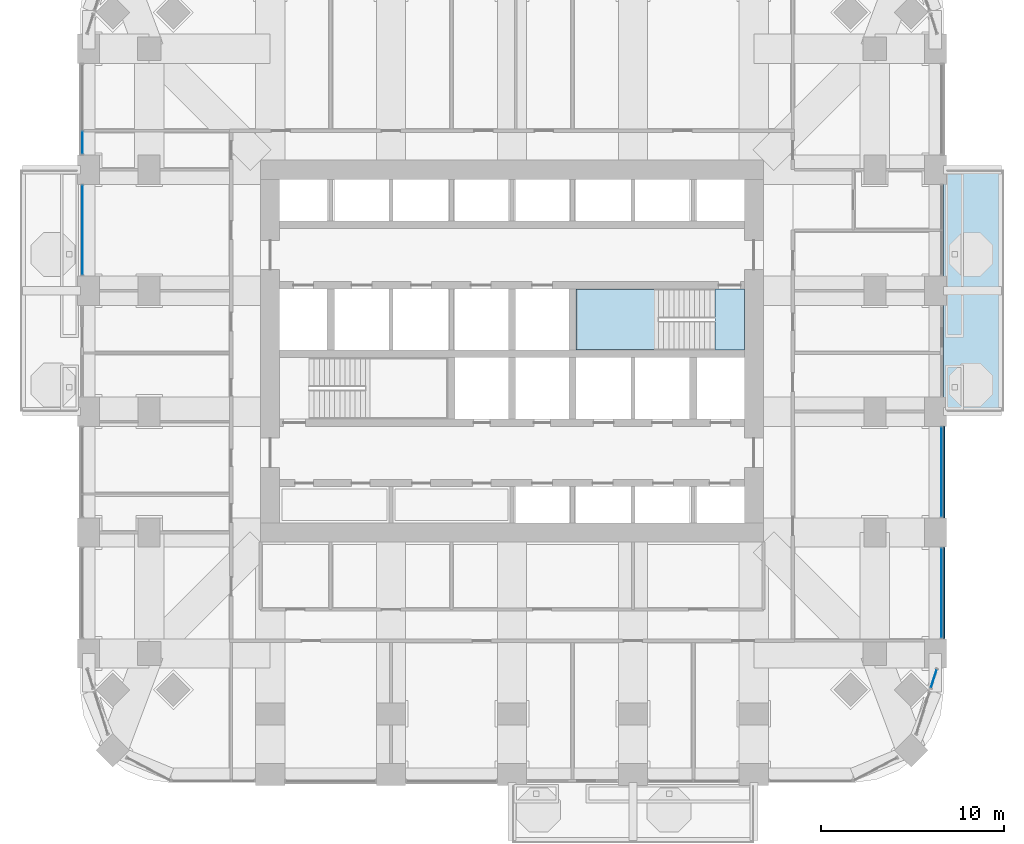
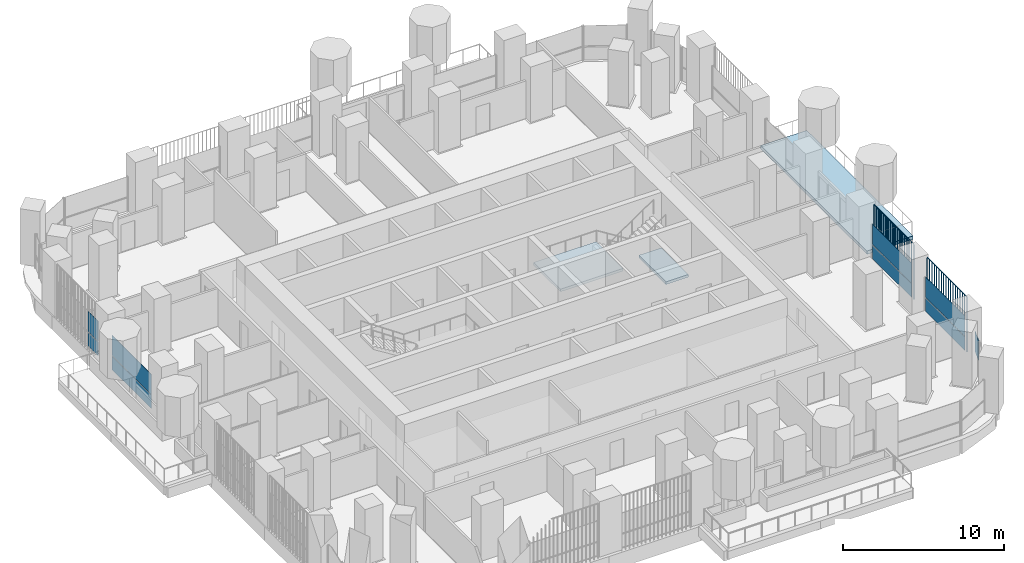
# One storey, part 11 of 22: 11 plates, 3 slabs, 6 elements without a shape of their own.
"""IFC4 building model written with IfcOpenShell, lengths in metres."""

from ifc_helpers import new_model, si_unit, direction, frame, origin, origin_2d, place, context, subcontext, project, spatial, polyline, rectangle, outline, extrude, material, layer, layer_set, type_object, element, aggregate, save


model = new_model("IFC4")

# Units and contexts
model_context = context("Model", 3, precision=1e-05, world=origin(), true_north=direction((0.0, 1.0)))
body_context = subcontext(model_context, "Body", "Model", "MODEL_VIEW")
ifc_project = project(units=[si_unit("LENGTHUNIT", "METRE"), si_unit("AREAUNIT", "SQUARE_METRE"), si_unit("VOLUMEUNIT", "CUBIC_METRE"), si_unit("PLANEANGLEUNIT", "RADIAN"), si_unit("MASSUNIT", "GRAM", prefix="KILO")], contexts=[model_context])

# Site, building, storey
site_placement = place(None, origin())
site = spatial("IfcSite", under=ifc_project, at=site_placement, CompositionType="ELEMENT")
building_placement = place(site_placement, origin())
building = spatial("IfcBuilding", under=site, at=building_placement, Name="Cobogo Forest Laboratory Tower", CompositionType="ELEMENT")
storey_placement = place(building_placement, frame((0.0, 0.0, 136.800048828125)))
storey = spatial("IfcBuildingStorey", under=building, at=storey_placement, Name="L31", CompositionType="ELEMENT", Elevation=136.800048828125)

# Slab
ifc_material_1 = material(Name="Concrete HA-40 (C40/50)", Category="concrete")
ifc_layer_1 = layer(ifc_material_1, 0.25)
ifc_layer_set_1 = layer_set([ifc_layer_1], Name="Balcony slab 250")
slab_type_1 = type_object("IfcSlabType", Name="Balcony slab 250", PredefinedType="FLOOR", material=ifc_layer_set_1)
slab_1_placement = place(storey_placement, frame((0.0, 0.0, -0.25)))
element("IfcSlab", 1, at=slab_1_placement, inside=storey, type_object=slab_type_1, Name="Balcony BAL-E1 L31", PredefinedType="FLOOR", context=body_context, shape_type="SweptSolid", body=[
    extrude(outline(polyline([(49.949951171875, 19.800048828125), (53.25, 19.800048828125), (53.25, 33.0), (49.949951171875, 33.0), (49.949951171875, 19.800048828125)])), origin(), (0.0, 0.0, 1.0), 0.25),
])

# Curtain wall, plate
ifc_material_2 = material(Name="Aluminium curtain wall", Category="aluminium")
curtain_wall_type = type_object("IfcCurtainWallType", Name="CW-1 unitised curtain wall, clear glazing, laboratory floors zones A and B", PredefinedType="USERDEFINED", material=ifc_material_2)
curtain_wall_1_placement = place(storey_placement, origin())
curtain_wall_1 = element("IfcCurtainWall", 2, at=curtain_wall_1_placement, inside=storey, type_object=curtain_wall_type, Name="Curtain wall 09 L31", ObjectType="UNITISED CURTAIN WALL", PredefinedType="USERDEFINED")
ifc_material_3 = material(Name="Clear insulated glass", Category="glass")
ifc_layer_2 = layer(ifc_material_3, 0.028076171875)
ifc_layer_set_2 = layer_set([ifc_layer_2], Name="GP-1 clear insulated glass unit 28")
plate_type_1 = type_object("IfcPlateType", Name="GP-1 clear insulated glass unit 28", PredefinedType="CURTAIN_PANEL", material=ifc_layer_set_2)
plate_1_placement = place(storey_placement, frame((49.41796875, 5.232177734375, 1.079833984375), z_axis=(0.0, 0.0, 1.0), x_axis=(0.301135667865, 0.953581307252, 0.0)))
plate_1 = element("IfcPlate", 3, at=plate_1_placement, type_object=plate_type_1, Name="CW-1 panel 1.2", PredefinedType="CURTAIN_PANEL", context=body_context, shape_type="SweptSolid", body=[
    extrude(rectangle(XDim=1.071044921875, YDim=0.028076171875, at=origin_2d()), origin(), (0.0, 0.0, 1.0), 1.52001953125),
])
aggregate(curtain_wall_1, [plate_1])

# Curtain wall, plates
curtain_wall_2_placement = place(storey_placement, origin())
curtain_wall_2 = element("IfcCurtainWall", 4, at=curtain_wall_2_placement, inside=storey, type_object=curtain_wall_type, Name="Curtain wall 10 L31", ObjectType="UNITISED CURTAIN WALL", PredefinedType="USERDEFINED")
plate_2_placement = place(storey_placement, frame((49.85009765625, 9.89990234375, 0.0), z_axis=(0.0, 0.0, 1.0), x_axis=(0.0, 1.0, 0.0)))
plate_2 = element("IfcPlate", 5, at=plate_2_placement, type_object=plate_type_1, Name="CW-1 panel 1.1", PredefinedType="CURTAIN_PANEL", context=body_context, shape_type="SweptSolid", body=[
    extrude(rectangle(XDim=4.8798828125, YDim=0.028076171875, at=origin_2d()), origin(), (0.0, 0.0, 1.0), 1.02001953125),
])
plate_3_placement = place(storey_placement, frame((49.85009765625, 9.89990234375, 1.079833984375), z_axis=(0.0, 0.0, 1.0), x_axis=(0.0, 1.0, 0.0)))
plate_3 = element("IfcPlate", 6, at=plate_3_placement, type_object=plate_type_1, Name="CW-1 panel 1.2", PredefinedType="CURTAIN_PANEL", context=body_context, shape_type="SweptSolid", body=[
    extrude(rectangle(XDim=4.8798828125, YDim=0.028076171875, at=origin_2d()), origin(), (0.0, 0.0, 1.0), 1.52001953125),
])
aggregate(curtain_wall_2, [plate_2, plate_3])

curtain_wall_3_placement = place(storey_placement, origin())
curtain_wall_3 = element("IfcCurtainWall", 7, at=curtain_wall_3_placement, inside=storey, type_object=curtain_wall_type, Name="Curtain wall 11 L31", ObjectType="UNITISED CURTAIN WALL", PredefinedType="USERDEFINED")
plate_4_placement = place(storey_placement, frame((49.85009765625, 16.5, 0.0), z_axis=(0.0, 0.0, 1.0), x_axis=(0.0, 1.0, 0.0)))
plate_4 = element("IfcPlate", 8, at=plate_4_placement, type_object=plate_type_1, Name="CW-1 panel 1.1", PredefinedType="CURTAIN_PANEL", context=body_context, shape_type="SweptSolid", body=[
    extrude(rectangle(XDim=4.8798828125, YDim=0.028076171875, at=origin_2d()), origin(), (0.0, 0.0, 1.0), 1.02001953125),
])
plate_5_placement = place(storey_placement, frame((49.85009765625, 16.5, 1.079833984375), z_axis=(0.0, 0.0, 1.0), x_axis=(0.0, 1.0, 0.0)))
plate_5 = element("IfcPlate", 9, at=plate_5_placement, type_object=plate_type_1, Name="CW-1 panel 1.2", PredefinedType="CURTAIN_PANEL", context=body_context, shape_type="SweptSolid", body=[
    extrude(rectangle(XDim=4.8798828125, YDim=0.028076171875, at=origin_2d()), origin(), (0.0, 0.0, 1.0), 1.52001953125),
])
aggregate(curtain_wall_3, [plate_4, plate_5])

curtain_wall_4_placement = place(storey_placement, origin())
curtain_wall_4 = element("IfcCurtainWall", 10, at=curtain_wall_4_placement, inside=storey, type_object=curtain_wall_type, Name="Curtain wall 27 L31", ObjectType="UNITISED CURTAIN WALL", PredefinedType="USERDEFINED")
plate_6_placement = place(storey_placement, frame((2.949951171875, 34.4775390625, 0.0), z_axis=(0.0, 0.0, 1.0), x_axis=(0.0, -1.0, 0.0)))
plate_6 = element("IfcPlate", 11, at=plate_6_placement, type_object=plate_type_1, Name="CW-1 panel 2.1", PredefinedType="CURTAIN_PANEL", context=body_context, shape_type="SweptSolid", body=[
    extrude(rectangle(XDim=1.235107421875, YDim=0.028076171875, at=origin_2d()), origin(), (0.0, 0.0, 1.0), 1.02001953125),
])
plate_7_placement = place(storey_placement, frame((2.949951171875, 34.4775390625, 1.079833984375), z_axis=(0.0, 0.0, 1.0), x_axis=(0.0, -1.0, 0.0)))
plate_7 = element("IfcPlate", 12, at=plate_7_placement, type_object=plate_type_1, Name="CW-1 panel 2.2", PredefinedType="CURTAIN_PANEL", context=body_context, shape_type="SweptSolid", body=[
    extrude(rectangle(XDim=1.235107421875, YDim=0.028076171875, at=origin_2d()), origin(), (0.0, 0.0, 1.0), 1.52001953125),
])
aggregate(curtain_wall_4, [plate_6, plate_7])

curtain_wall_5_placement = place(storey_placement, origin())
curtain_wall_5 = element("IfcCurtainWall", 13, at=curtain_wall_5_placement, inside=storey, type_object=curtain_wall_type, Name="Curtain wall 28 L31", ObjectType="UNITISED CURTAIN WALL", PredefinedType="USERDEFINED")
plate_8_placement = place(storey_placement, frame((2.949951171875, 29.699951171875, 0.0), z_axis=(0.0, 0.0, 1.0), x_axis=(0.0, -1.0, 0.0)))
plate_8 = element("IfcPlate", 14, at=plate_8_placement, type_object=plate_type_1, Name="CW-1 panel 1.1", PredefinedType="CURTAIN_PANEL", context=body_context, shape_type="SweptSolid", body=[
    extrude(rectangle(XDim=4.8798828125, YDim=0.028076171875, at=origin_2d()), origin(), (0.0, 0.0, 1.0), 1.02001953125),
])
plate_9_placement = place(storey_placement, frame((2.949951171875, 29.699951171875, 1.079833984375), z_axis=(0.0, 0.0, 1.0), x_axis=(0.0, -1.0, 0.0)))
plate_9 = element("IfcPlate", 15, at=plate_9_placement, type_object=plate_type_1, Name="CW-1 panel 1.2", PredefinedType="CURTAIN_PANEL", context=body_context, shape_type="SweptSolid", body=[
    extrude(rectangle(XDim=4.8798828125, YDim=0.028076171875, at=origin_2d()), origin(), (0.0, 0.0, 1.0), 1.52001953125),
])
aggregate(curtain_wall_5, [plate_8, plate_9])

# Stair, slabs
ifc_material_4 = material(Name="Precast concrete HA-40 (C40/50)", Category="concrete")
stair_type = type_object("IfcStairType", Name="ST24 exit stair 24 risers", PredefinedType="HALF_TURN_STAIR", material=ifc_material_4)
stair_placement = place(storey_placement, origin())
stair = element("IfcStair", 16, at=stair_placement, inside=storey, type_object=stair_type, Name="Stair 2 L31 to L32", PredefinedType="HALF_TURN_STAIR")
ifc_layer_3 = layer(ifc_material_1, 0.199951171875)
ifc_layer_set_3 = layer_set([ifc_layer_3], Name="SL stair landing 200")
slab_type_2 = type_object("IfcSlabType", Name="SL stair landing 200", PredefinedType="LANDING", material=ifc_layer_set_3)
slab_2_placement = place(storey_placement, frame((0.0, 0.0, -0.199951171875)))
slab_2 = element("IfcSlab", 17, at=slab_2_placement, type_object=slab_type_2, Name="ST2 landing 1", PredefinedType="LANDING", context=body_context, shape_type="SweptSolid", body=[
    extrude(outline(polyline([(37.472900390625, 23.14990234375), (39.074951171875, 23.14990234375), (39.074951171875, 26.5), (37.472900390625, 26.5), (37.472900390625, 23.14990234375)])), origin(), (0.0, 0.0, 1.0), 0.199951171875),
])
slab_3_placement = place(storey_placement, frame((0.0, 0.0, 1.89990234375)))
slab_3 = element("IfcSlab", 18, at=slab_3_placement, type_object=slab_type_2, Name="ST2 landing 2", PredefinedType="LANDING", context=body_context, shape_type="SweptSolid", body=[
    extrude(outline(polyline([(29.89990234375, 23.14990234375), (34.39697265625, 23.14990234375), (34.39697265625, 26.5), (29.89990234375, 26.5), (29.89990234375, 23.14990234375)])), origin(), (0.0, 0.0, 1.0), 0.199951171875),
])
aggregate(stair, [slab_2, slab_3])

# Plates
ifc_material_5 = material(Name="Terracotta", Category="masonry")
plate_type_2 = type_object("IfcPlateType", Name="TB1 terracotta baguette screen", PredefinedType="USERDEFINED", material=ifc_material_5)
plate_10_placement = place(storey_placement, frame((49.977783203125, 7.43115234375, -0.150146484375)))
element("IfcPlate", 19, at=plate_10_placement, inside=storey, type_object=plate_type_2, Name="Baguette screen E1 L31", ObjectType="BAGUETTE SCREEN", PredefinedType="USERDEFINED", context=body_context, shape_type="SweptSolid", body=[
    extrude(outline(polyline([(0.02880859375, 0.011962890625), (0.011962890625, 0.02880859375), (-0.011962890625, 0.02880859375), (-0.02880859375, 0.011962890625), (-0.02880859375, -0.011962890625), (-0.011962890625, -0.02880859375), (0.011962890625, -0.02880859375), (0.02880859375, -0.011962890625), (0.02880859375, 0.011962890625)])), frame((0.0, 0.0, 4.168701171875), z_axis=(0.0, 1.0, 0.0), x_axis=(-1.0, 0.0, 0.0)), (0.0, 0.0, 1.0), 4.9375),
    extrude(outline(polyline([(0.02880859375, 0.011962890625), (0.011962890625, 0.02880859375), (-0.011962890625, 0.02880859375), (-0.02880859375, 0.011962890625), (-0.02880859375, -0.011962890625), (-0.011962890625, -0.02880859375), (0.011962890625, -0.02880859375), (0.02880859375, -0.011962890625), (0.02880859375, 0.011962890625)])), origin(), (0.0, 0.0, 1.0), 4.137451171875),
    extrude(outline(polyline([(0.02880859375, 0.011962890625), (0.011962890625, 0.02880859375), (-0.011962890625, 0.02880859375), (-0.02880859375, 0.011962890625), (-0.02880859375, -0.011962890625), (-0.011962890625, -0.02880859375), (0.011962890625, -0.02880859375), (0.02880859375, -0.011962890625), (0.02880859375, 0.011962890625)])), frame((0.0, 0.29052734375, 0.0)), (0.0, 0.0, 1.0), 4.137451171875),
    extrude(outline(polyline([(0.02880859375, 0.011962890625), (0.011962890625, 0.02880859375), (-0.011962890625, 0.02880859375), (-0.02880859375, 0.011962890625), (-0.02880859375, -0.011962890625), (-0.011962890625, -0.02880859375), (0.011962890625, -0.02880859375), (0.02880859375, -0.011962890625), (0.02880859375, 0.011962890625)])), frame((0.0, 0.580810546875, 0.0)), (0.0, 0.0, 1.0), 4.137451171875),
    extrude(outline(polyline([(0.02880859375, 0.011962890625), (0.011962890625, 0.02880859375), (-0.011962890625, 0.02880859375), (-0.02880859375, 0.011962890625), (-0.02880859375, -0.011962890625), (-0.011962890625, -0.02880859375), (0.011962890625, -0.02880859375), (0.02880859375, -0.011962890625), (0.02880859375, 0.011962890625)])), frame((0.0, 0.871337890625, 0.0)), (0.0, 0.0, 1.0), 4.137451171875),
    extrude(outline(polyline([(0.02880859375, 0.011962890625), (0.011962890625, 0.02880859375), (-0.011962890625, 0.02880859375), (-0.02880859375, 0.011962890625), (-0.02880859375, -0.011962890625), (-0.011962890625, -0.02880859375), (0.011962890625, -0.02880859375), (0.02880859375, -0.011962890625), (0.02880859375, 0.011962890625)])), frame((0.0, 1.161865234375, 0.0)), (0.0, 0.0, 1.0), 4.137451171875),
    extrude(outline(polyline([(0.02880859375, 0.011962890625), (0.011962890625, 0.02880859375), (-0.011962890625, 0.02880859375), (-0.02880859375, 0.011962890625), (-0.02880859375, -0.011962890625), (-0.011962890625, -0.02880859375), (0.011962890625, -0.02880859375), (0.02880859375, -0.011962890625), (0.02880859375, 0.011962890625)])), frame((0.0, 1.4521484375, 0.0)), (0.0, 0.0, 1.0), 4.137451171875),
    extrude(outline(polyline([(0.02880859375, 0.011962890625), (0.011962890625, 0.02880859375), (-0.011962890625, 0.02880859375), (-0.02880859375, 0.011962890625), (-0.02880859375, -0.011962890625), (-0.011962890625, -0.02880859375), (0.011962890625, -0.02880859375), (0.02880859375, -0.011962890625), (0.02880859375, 0.011962890625)])), frame((0.0, 1.74267578125, 0.0)), (0.0, 0.0, 1.0), 4.137451171875),
    extrude(outline(polyline([(0.02880859375, 0.011962890625), (0.011962890625, 0.02880859375), (-0.011962890625, 0.02880859375), (-0.02880859375, 0.011962890625), (-0.02880859375, -0.011962890625), (-0.011962890625, -0.02880859375), (0.011962890625, -0.02880859375), (0.02880859375, -0.011962890625), (0.02880859375, 0.011962890625)])), frame((0.0, 2.033203125, 0.0)), (0.0, 0.0, 1.0), 4.137451171875),
    extrude(outline(polyline([(0.02880859375, 0.011962890625), (0.011962890625, 0.02880859375), (-0.011962890625, 0.02880859375), (-0.02880859375, 0.011962890625), (-0.02880859375, -0.011962890625), (-0.011962890625, -0.02880859375), (0.011962890625, -0.02880859375), (0.02880859375, -0.011962890625), (0.02880859375, 0.011962890625)])), frame((0.0, 2.323486328125, 0.0)), (0.0, 0.0, 1.0), 4.137451171875),
    extrude(outline(polyline([(0.02880859375, 0.011962890625), (0.011962890625, 0.02880859375), (-0.011962890625, 0.02880859375), (-0.02880859375, 0.011962890625), (-0.02880859375, -0.011962890625), (-0.011962890625, -0.02880859375), (0.011962890625, -0.02880859375), (0.02880859375, -0.011962890625), (0.02880859375, 0.011962890625)])), frame((0.0, 2.614013671875, 0.0)), (0.0, 0.0, 1.0), 4.137451171875),
    extrude(outline(polyline([(0.02880859375, 0.011962890625), (0.011962890625, 0.02880859375), (-0.011962890625, 0.02880859375), (-0.02880859375, 0.011962890625), (-0.02880859375, -0.011962890625), (-0.011962890625, -0.02880859375), (0.011962890625, -0.02880859375), (0.02880859375, -0.011962890625), (0.02880859375, 0.011962890625)])), frame((0.0, 2.904296875, 0.0)), (0.0, 0.0, 1.0), 4.137451171875),
    extrude(outline(polyline([(0.02880859375, 0.011962890625), (0.011962890625, 0.02880859375), (-0.011962890625, 0.02880859375), (-0.02880859375, 0.011962890625), (-0.02880859375, -0.011962890625), (-0.011962890625, -0.02880859375), (0.011962890625, -0.02880859375), (0.02880859375, -0.011962890625), (0.02880859375, 0.011962890625)])), frame((0.0, 3.19482421875, 0.0)), (0.0, 0.0, 1.0), 4.137451171875),
    extrude(outline(polyline([(0.02880859375, 0.011962890625), (0.011962890625, 0.02880859375), (-0.011962890625, 0.02880859375), (-0.02880859375, 0.011962890625), (-0.02880859375, -0.011962890625), (-0.011962890625, -0.02880859375), (0.011962890625, -0.02880859375), (0.02880859375, -0.011962890625), (0.02880859375, 0.011962890625)])), frame((0.0, 3.4853515625, 0.0)), (0.0, 0.0, 1.0), 4.137451171875),
    extrude(outline(polyline([(0.02880859375, 0.011962890625), (0.011962890625, 0.02880859375), (-0.011962890625, 0.02880859375), (-0.02880859375, 0.011962890625), (-0.02880859375, -0.011962890625), (-0.011962890625, -0.02880859375), (0.011962890625, -0.02880859375), (0.02880859375, -0.011962890625), (0.02880859375, 0.011962890625)])), frame((0.0, 3.775634765625, 0.0)), (0.0, 0.0, 1.0), 4.137451171875),
    extrude(outline(polyline([(0.02880859375, 0.011962890625), (0.011962890625, 0.02880859375), (-0.011962890625, 0.02880859375), (-0.02880859375, 0.011962890625), (-0.02880859375, -0.011962890625), (-0.011962890625, -0.02880859375), (0.011962890625, -0.02880859375), (0.02880859375, -0.011962890625), (0.02880859375, 0.011962890625)])), frame((0.0, 4.066162109375, 0.0)), (0.0, 0.0, 1.0), 4.137451171875),
    extrude(outline(polyline([(0.02880859375, 0.011962890625), (0.011962890625, 0.02880859375), (-0.011962890625, 0.02880859375), (-0.02880859375, 0.011962890625), (-0.02880859375, -0.011962890625), (-0.011962890625, -0.02880859375), (0.011962890625, -0.02880859375), (0.02880859375, -0.011962890625), (0.02880859375, 0.011962890625)])), frame((0.0, 4.356689453125, 0.0)), (0.0, 0.0, 1.0), 4.137451171875),
    extrude(outline(polyline([(0.02880859375, 0.011962890625), (0.011962890625, 0.02880859375), (-0.011962890625, 0.02880859375), (-0.02880859375, 0.011962890625), (-0.02880859375, -0.011962890625), (-0.011962890625, -0.02880859375), (0.011962890625, -0.02880859375), (0.02880859375, -0.011962890625), (0.02880859375, 0.011962890625)])), frame((0.0, 4.64697265625, 0.0)), (0.0, 0.0, 1.0), 4.137451171875),
    extrude(outline(polyline([(0.02880859375, 0.011962890625), (0.011962890625, 0.02880859375), (-0.011962890625, 0.02880859375), (-0.02880859375, 0.011962890625), (-0.02880859375, -0.011962890625), (-0.011962890625, -0.02880859375), (0.011962890625, -0.02880859375), (0.02880859375, -0.011962890625), (0.02880859375, 0.011962890625)])), frame((0.0, 4.9375, 0.0)), (0.0, 0.0, 1.0), 4.137451171875),
])
plate_11_placement = place(storey_placement, frame((49.977783203125, 14.03125, -0.150146484375)))
element("IfcPlate", 20, at=plate_11_placement, inside=storey, type_object=plate_type_2, Name="Baguette screen E2 L31", ObjectType="BAGUETTE SCREEN", PredefinedType="USERDEFINED", context=body_context, shape_type="SweptSolid", body=[
    extrude(outline(polyline([(0.02880859375, 0.011962890625), (0.011962890625, 0.02880859375), (-0.011962890625, 0.02880859375), (-0.02880859375, 0.011962890625), (-0.02880859375, -0.011962890625), (-0.011962890625, -0.02880859375), (0.011962890625, -0.02880859375), (0.02880859375, -0.011962890625), (0.02880859375, 0.011962890625)])), frame((0.0, 0.0, 4.168701171875), z_axis=(0.0, 1.0, 0.0), x_axis=(-1.0, 0.0, 0.0)), (0.0, 0.0, 1.0), 4.9375),
    extrude(outline(polyline([(0.02880859375, 0.011962890625), (0.011962890625, 0.02880859375), (-0.011962890625, 0.02880859375), (-0.02880859375, 0.011962890625), (-0.02880859375, -0.011962890625), (-0.011962890625, -0.02880859375), (0.011962890625, -0.02880859375), (0.02880859375, -0.011962890625), (0.02880859375, 0.011962890625)])), origin(), (0.0, 0.0, 1.0), 4.137451171875),
    extrude(outline(polyline([(0.02880859375, 0.011962890625), (0.011962890625, 0.02880859375), (-0.011962890625, 0.02880859375), (-0.02880859375, 0.011962890625), (-0.02880859375, -0.011962890625), (-0.011962890625, -0.02880859375), (0.011962890625, -0.02880859375), (0.02880859375, -0.011962890625), (0.02880859375, 0.011962890625)])), frame((0.0, 0.29052734375, 0.0)), (0.0, 0.0, 1.0), 4.137451171875),
    extrude(outline(polyline([(0.02880859375, 0.011962890625), (0.011962890625, 0.02880859375), (-0.011962890625, 0.02880859375), (-0.02880859375, 0.011962890625), (-0.02880859375, -0.011962890625), (-0.011962890625, -0.02880859375), (0.011962890625, -0.02880859375), (0.02880859375, -0.011962890625), (0.02880859375, 0.011962890625)])), frame((0.0, 0.580810546875, 0.0)), (0.0, 0.0, 1.0), 4.137451171875),
    extrude(outline(polyline([(0.02880859375, 0.011962890625), (0.011962890625, 0.02880859375), (-0.011962890625, 0.02880859375), (-0.02880859375, 0.011962890625), (-0.02880859375, -0.011962890625), (-0.011962890625, -0.02880859375), (0.011962890625, -0.02880859375), (0.02880859375, -0.011962890625), (0.02880859375, 0.011962890625)])), frame((0.0, 0.871337890625, 0.0)), (0.0, 0.0, 1.0), 4.137451171875),
    extrude(outline(polyline([(0.02880859375, 0.011962890625), (0.011962890625, 0.02880859375), (-0.011962890625, 0.02880859375), (-0.02880859375, 0.011962890625), (-0.02880859375, -0.011962890625), (-0.011962890625, -0.02880859375), (0.011962890625, -0.02880859375), (0.02880859375, -0.011962890625), (0.02880859375, 0.011962890625)])), frame((0.0, 1.161865234375, 0.0)), (0.0, 0.0, 1.0), 4.137451171875),
    extrude(outline(polyline([(0.02880859375, 0.011962890625), (0.011962890625, 0.02880859375), (-0.011962890625, 0.02880859375), (-0.02880859375, 0.011962890625), (-0.02880859375, -0.011962890625), (-0.011962890625, -0.02880859375), (0.011962890625, -0.02880859375), (0.02880859375, -0.011962890625), (0.02880859375, 0.011962890625)])), frame((0.0, 1.4521484375, 0.0)), (0.0, 0.0, 1.0), 4.137451171875),
    extrude(outline(polyline([(0.02880859375, 0.011962890625), (0.011962890625, 0.02880859375), (-0.011962890625, 0.02880859375), (-0.02880859375, 0.011962890625), (-0.02880859375, -0.011962890625), (-0.011962890625, -0.02880859375), (0.011962890625, -0.02880859375), (0.02880859375, -0.011962890625), (0.02880859375, 0.011962890625)])), frame((0.0, 1.74267578125, 0.0)), (0.0, 0.0, 1.0), 4.137451171875),
    extrude(outline(polyline([(0.02880859375, 0.011962890625), (0.011962890625, 0.02880859375), (-0.011962890625, 0.02880859375), (-0.02880859375, 0.011962890625), (-0.02880859375, -0.011962890625), (-0.011962890625, -0.02880859375), (0.011962890625, -0.02880859375), (0.02880859375, -0.011962890625), (0.02880859375, 0.011962890625)])), frame((0.0, 2.033203125, 0.0)), (0.0, 0.0, 1.0), 4.137451171875),
    extrude(outline(polyline([(0.02880859375, 0.011962890625), (0.011962890625, 0.02880859375), (-0.011962890625, 0.02880859375), (-0.02880859375, 0.011962890625), (-0.02880859375, -0.011962890625), (-0.011962890625, -0.02880859375), (0.011962890625, -0.02880859375), (0.02880859375, -0.011962890625), (0.02880859375, 0.011962890625)])), frame((0.0, 2.323486328125, 0.0)), (0.0, 0.0, 1.0), 4.137451171875),
    extrude(outline(polyline([(0.02880859375, 0.011962890625), (0.011962890625, 0.02880859375), (-0.011962890625, 0.02880859375), (-0.02880859375, 0.011962890625), (-0.02880859375, -0.011962890625), (-0.011962890625, -0.02880859375), (0.011962890625, -0.02880859375), (0.02880859375, -0.011962890625), (0.02880859375, 0.011962890625)])), frame((0.0, 2.614013671875, 0.0)), (0.0, 0.0, 1.0), 4.137451171875),
    extrude(outline(polyline([(0.02880859375, 0.011962890625), (0.011962890625, 0.02880859375), (-0.011962890625, 0.02880859375), (-0.02880859375, 0.011962890625), (-0.02880859375, -0.011962890625), (-0.011962890625, -0.02880859375), (0.011962890625, -0.02880859375), (0.02880859375, -0.011962890625), (0.02880859375, 0.011962890625)])), frame((0.0, 2.904296875, 0.0)), (0.0, 0.0, 1.0), 4.137451171875),
    extrude(outline(polyline([(0.02880859375, 0.011962890625), (0.011962890625, 0.02880859375), (-0.011962890625, 0.02880859375), (-0.02880859375, 0.011962890625), (-0.02880859375, -0.011962890625), (-0.011962890625, -0.02880859375), (0.011962890625, -0.02880859375), (0.02880859375, -0.011962890625), (0.02880859375, 0.011962890625)])), frame((0.0, 3.19482421875, 0.0)), (0.0, 0.0, 1.0), 4.137451171875),
    extrude(outline(polyline([(0.02880859375, 0.011962890625), (0.011962890625, 0.02880859375), (-0.011962890625, 0.02880859375), (-0.02880859375, 0.011962890625), (-0.02880859375, -0.011962890625), (-0.011962890625, -0.02880859375), (0.011962890625, -0.02880859375), (0.02880859375, -0.011962890625), (0.02880859375, 0.011962890625)])), frame((0.0, 3.4853515625, 0.0)), (0.0, 0.0, 1.0), 4.137451171875),
    extrude(outline(polyline([(0.02880859375, 0.011962890625), (0.011962890625, 0.02880859375), (-0.011962890625, 0.02880859375), (-0.02880859375, 0.011962890625), (-0.02880859375, -0.011962890625), (-0.011962890625, -0.02880859375), (0.011962890625, -0.02880859375), (0.02880859375, -0.011962890625), (0.02880859375, 0.011962890625)])), frame((0.0, 3.775634765625, 0.0)), (0.0, 0.0, 1.0), 4.137451171875),
    extrude(outline(polyline([(0.02880859375, 0.011962890625), (0.011962890625, 0.02880859375), (-0.011962890625, 0.02880859375), (-0.02880859375, 0.011962890625), (-0.02880859375, -0.011962890625), (-0.011962890625, -0.02880859375), (0.011962890625, -0.02880859375), (0.02880859375, -0.011962890625), (0.02880859375, 0.011962890625)])), frame((0.0, 4.066162109375, 0.0)), (0.0, 0.0, 1.0), 4.137451171875),
    extrude(outline(polyline([(0.02880859375, 0.011962890625), (0.011962890625, 0.02880859375), (-0.011962890625, 0.02880859375), (-0.02880859375, 0.011962890625), (-0.02880859375, -0.011962890625), (-0.011962890625, -0.02880859375), (0.011962890625, -0.02880859375), (0.02880859375, -0.011962890625), (0.02880859375, 0.011962890625)])), frame((0.0, 4.356689453125, 0.0)), (0.0, 0.0, 1.0), 4.137451171875),
    extrude(outline(polyline([(0.02880859375, 0.011962890625), (0.011962890625, 0.02880859375), (-0.011962890625, 0.02880859375), (-0.02880859375, 0.011962890625), (-0.02880859375, -0.011962890625), (-0.011962890625, -0.02880859375), (0.011962890625, -0.02880859375), (0.02880859375, -0.011962890625), (0.02880859375, 0.011962890625)])), frame((0.0, 4.64697265625, 0.0)), (0.0, 0.0, 1.0), 4.137451171875),
    extrude(outline(polyline([(0.02880859375, 0.011962890625), (0.011962890625, 0.02880859375), (-0.011962890625, 0.02880859375), (-0.02880859375, 0.011962890625), (-0.02880859375, -0.011962890625), (-0.011962890625, -0.02880859375), (0.011962890625, -0.02880859375), (0.02880859375, -0.011962890625), (0.02880859375, 0.011962890625)])), frame((0.0, 4.9375, 0.0)), (0.0, 0.0, 1.0), 4.137451171875),
])

save(model, "model.ifc")
